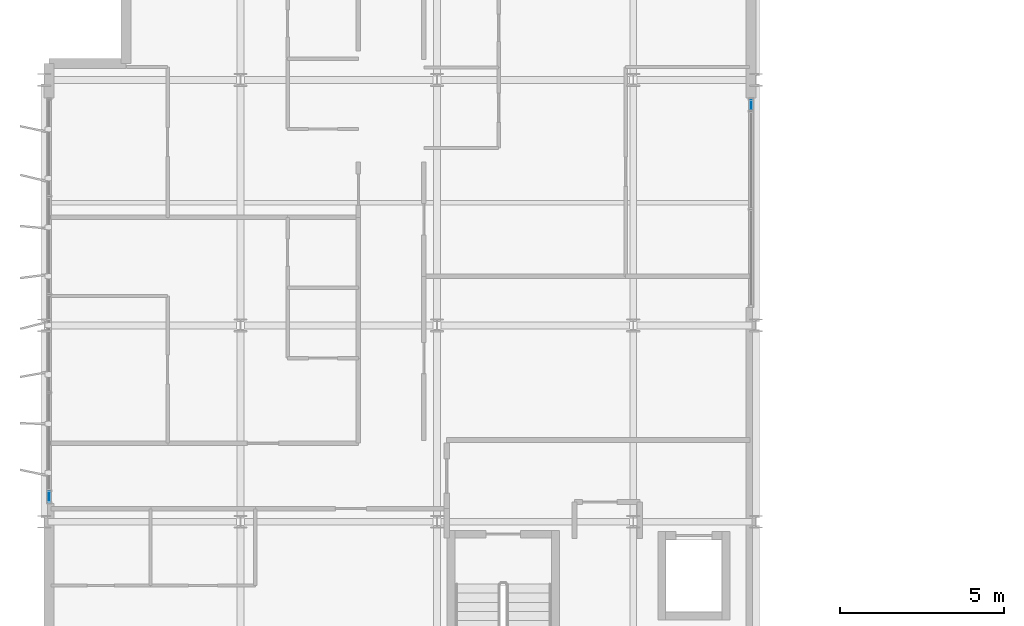
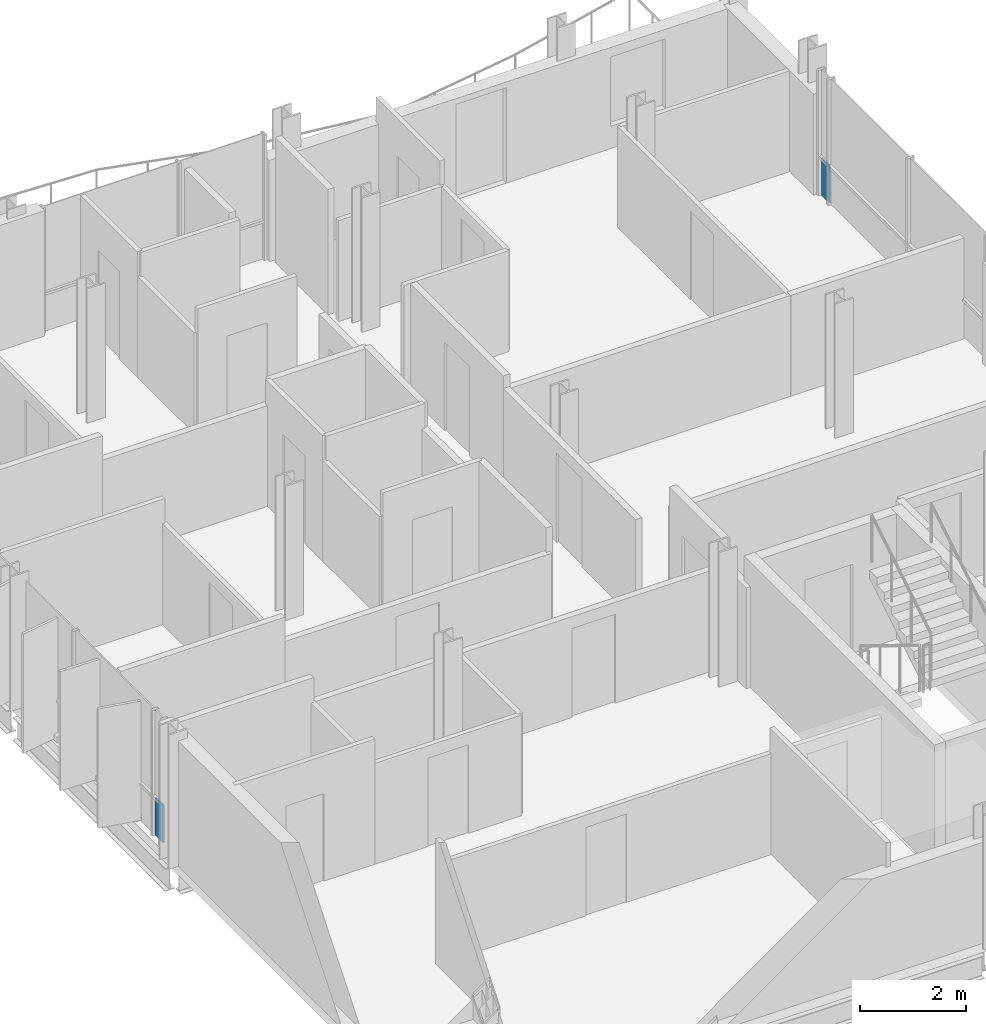
# One storey, part 19 of 29: 2 plates, 2 elements without a shape of their own.
"""IFC4 building model written with IfcOpenShell, lengths in metres."""

import ifcopenshell
import ifcopenshell.guid

model = None  # the IFC model being written
_history = None  # IfcOwnerHistory: only IFC2X3 demands one
_inside = {}  # id of a spatial element -> (the spatial element, [elements in it])
_under = {}  # id of a project, library or spatial element -> (it, [spatial elements below it])
_declared = {}  # id of a project -> (the project, [libraries it declares])
_typed = {}  # id of a type object -> (the type object, [elements of that type])
_made_of = {}  # id of a material, layer set ... -> (it, [elements and type objects made of it])


def new_model(schema):
    """Start an empty IFC model of exactly this schema.

    Asked for "IFC4X3", IfcOpenShell would pick the latest addendum, in which some entities
    have other attributes; the version numbers below select the first issue.
    IFC2X3 requires an IfcOwnerHistory on every rooted entity: one is made here for all.
    """
    global model, _history
    if schema == "IFC4X3":
        model = ifcopenshell.file(schema_version=(4, 3, 0, 0))
    else:
        model = ifcopenshell.file(schema=schema)
    _inside.clear()
    _under.clear()
    _declared.clear()
    _typed.clear()
    _made_of.clear()
    _history = None
    if model.schema == "IFC2X3":
        org = make("IfcOrganization", Name="unknown")
        user = make(
            "IfcPersonAndOrganization",
            ThePerson=make("IfcPerson", FamilyName="unknown"),
            TheOrganization=org,
        )
        app = make(
            "IfcApplication",
            ApplicationDeveloper=org,
            Version="unknown",
            ApplicationFullName="unknown",
            ApplicationIdentifier="unknown",
        )
        _history = make(
            "IfcOwnerHistory",
            OwningUser=user,
            OwningApplication=app,
            ChangeAction="ADDED",
            CreationDate=0,
        )
    return model


def make(cls, **values):
    """One entity of the class cls with the attributes given. An attribute that is None is left unset."""
    return model.create_entity(
        cls, **{name: value for name, value in values.items() if value is not None}
    )


def rooted(cls, **values):
    """An entity with a GlobalId (a new one), such as an element, a storey or a relation."""
    return make(cls, GlobalId=ifcopenshell.guid.new(), OwnerHistory=_history, **values)


def si_unit(unit_type, name, prefix=None):
    """IfcSIUnit, for example si_unit("LENGTHUNIT", "METRE", prefix="MILLI")."""
    return make("IfcSIUnit", UnitType=unit_type, Prefix=prefix, Name=name)


def assignment(units):
    """IfcUnitAssignment: the units of a project."""
    return None if units is None else make("IfcUnitAssignment", Units=units)


def point(xyz):
    """IfcCartesianPoint."""
    return None if xyz is None else make("IfcCartesianPoint", Coordinates=xyz)


def direction(xyz):
    """IfcDirection."""
    return None if xyz is None else make("IfcDirection", DirectionRatios=xyz)


def frame(location, z_axis=None, x_axis=None):
    """IfcAxis2Placement3D, a coordinate frame: its origin and axes. An axis left out is left unset."""
    return make(
        "IfcAxis2Placement3D",
        Location=point(location),
        Axis=direction(z_axis),
        RefDirection=direction(x_axis),
    )


def frame_2d(location, x_axis=None):
    """IfcAxis2Placement2D, a coordinate frame in the plane: its origin and x axis."""
    return make(
        "IfcAxis2Placement2D", Location=point(location), RefDirection=direction(x_axis)
    )


def origin():
    """The frame at (0, 0, 0) with its axes left unset."""
    return frame((0.0, 0.0, 0.0))


def origin_2d():
    """The frame at (0, 0) in the plane with its x axis left unset."""
    return frame_2d((0.0, 0.0))


def place(relative_to, where):
    """IfcLocalPlacement: puts the frame where relative to a parent placement (None: the world)."""
    return make(
        "IfcLocalPlacement", PlacementRelTo=relative_to, RelativePlacement=where
    )


def context(
    kind, dimensions, precision=None, world=None, true_north=None, identifier=None
):
    """IfcGeometricRepresentationContext, for example the 3D "Model" context."""
    return make(
        "IfcGeometricRepresentationContext",
        ContextIdentifier=identifier,
        ContextType=kind,
        CoordinateSpaceDimension=dimensions,
        Precision=precision,
        WorldCoordinateSystem=world,
        TrueNorth=true_north,
    )


def subcontext(parent, identifier, kind, view, scale=None):
    """IfcGeometricRepresentationSubContext, for example "Body" below "Model"."""
    return make(
        "IfcGeometricRepresentationSubContext",
        ContextIdentifier=identifier,
        ContextType=kind,
        ParentContext=parent,
        TargetScale=scale,
        TargetView=view,
    )


def project(units=None, contexts=None):
    """IfcProject with its units and contexts."""
    return rooted(
        "IfcProject",
        Name="project",
        RepresentationContexts=contexts,
        UnitsInContext=assignment(units),
    )


def spatial(cls, under=None, at=None, **own):
    """A site, building, storey or space (cls), placed at a placement, below another one or the project."""
    s = rooted(cls, ObjectPlacement=at, **own)
    if under is not None:
        _under.setdefault(under.id(), (under, []))[1].append(s)
    return s


def profile(cls, at=None, kind="AREA", **sizes):
    """A parametric profile (cls). Its sizes go by their IFC names, for example OverallWidth=200.0."""
    return make(cls, ProfileType=kind, Position=at, **sizes)


def rectangle(**sizes):
    """IfcRectangleProfileDef."""
    return profile("IfcRectangleProfileDef", **sizes)


def extrude(swept, where, along, depth):
    """IfcExtrudedAreaSolid: the profile swept, set in the frame where, extruded along a direction by depth."""
    return make(
        "IfcExtrudedAreaSolid",
        SweptArea=swept,
        Position=where,
        ExtrudedDirection=direction(along),
        Depth=depth,
    )


def shape(context_of_items, identifier, shape_type, items):
    """IfcShapeRepresentation: the items that make up one representation, for example the "Body"."""
    return make(
        "IfcShapeRepresentation",
        ContextOfItems=context_of_items,
        RepresentationIdentifier=identifier,
        RepresentationType=shape_type,
        Items=items,
    )


def material(Name=None, Category=None):
    """IfcMaterial."""
    return make("IfcMaterial", Name=Name, Category=Category)


def layer(
    of_material, thickness, ventilated=None, Name=None, Category=None, Priority=None
):
    """IfcMaterialLayer: one layer of a wall or slab, of a material (None: an air gap)."""
    return make(
        "IfcMaterialLayer",
        Material=of_material,
        LayerThickness=thickness,
        IsVentilated=ventilated,
        Name=Name,
        Category=Category,
        Priority=Priority,
    )


def layer_set(layers, Name=None):
    """IfcMaterialLayerSet."""
    return make("IfcMaterialLayerSet", MaterialLayers=layers, LayerSetName=Name)


def made_of(thing, what):
    """Note that an element or type object is made of a material, layer set ...; save() writes the relation."""
    if what is not None:
        _made_of.setdefault(what.id(), (what, []))[1].append(thing)
    return thing


def type_object(cls, material=None, **own):
    """A type object (cls), such as IfcWallType, which elements share."""
    return made_of(rooted(cls, **own), material)


def element(
    cls,
    number,
    at=None,
    inside=None,
    cuts=None,
    type_object=None,
    material=None,
    context=None,
    identifier="Body",
    shape_type=None,
    held_by="IfcProductDefinitionShape",
    body=None,
    shapes=None,
    **own,
):
    """One element of the class cls, such as IfcWall. Its Tag is "e" and its number.

    at: its placement. inside: the storey or other place that contains it. cuts: it is an
    opening in that element (IfcRelVoidsElement). A single representation is given by context,
    identifier, shape_type and body (its items); several are given by shapes. held_by: the class
    of the entity that holds the representations. save() writes the other relations.
    """
    e = rooted(cls, Tag="e%d" % number, ObjectPlacement=at, **own)
    if body is not None:
        shapes = [shape(context, identifier, shape_type, body)]
    if shapes is not None:
        e.Representation = make(held_by, Representations=shapes)
    if inside is not None:
        _inside.setdefault(inside.id(), (inside, []))[1].append(e)
    if cuts is not None:
        rooted(
            "IfcRelVoidsElement", RelatingBuildingElement=cuts, RelatedOpeningElement=e
        )
    if type_object is not None:
        _typed.setdefault(type_object.id(), (type_object, []))[1].append(e)
    return made_of(e, material)


def aggregate(whole, parts):
    """IfcRelAggregates: a whole, such as a stair, and the parts it consists of."""
    return rooted("IfcRelAggregates", RelatingObject=whole, RelatedObjects=parts)


def save(model, path):
    """Write the relations noted so far, then the file.

    IfcRelAggregates (storeys below a building ...), IfcRelContainedInSpatialStructure (elements
    in a storey), IfcRelDefinesByType, IfcRelAssociatesMaterial and IfcRelDeclares: one each for
    every whole, place, type object, material and project.
    """
    for whole, parts in _under.values():
        aggregate(whole, parts)
    for where, things in _inside.values():
        rooted(
            "IfcRelContainedInSpatialStructure",
            RelatedElements=things,
            RelatingStructure=where,
        )
    for kind, things in _typed.values():
        rooted("IfcRelDefinesByType", RelatedObjects=things, RelatingType=kind)
    for what, things in _made_of.values():
        rooted("IfcRelAssociatesMaterial", RelatedObjects=things, RelatingMaterial=what)
    for by, libraries in _declared.values():
        rooted("IfcRelDeclares", RelatingContext=by, RelatedDefinitions=libraries)
    model.write(path)


model = new_model("IFC4")

# Units and contexts
model_context = context("Model", 3, precision=1e-05, world=origin(), true_north=direction((0.0, 1.0)))
body_context = subcontext(model_context, "Body", "Model", "MODEL_VIEW")
ifc_project = project(units=[si_unit("LENGTHUNIT", "METRE"), si_unit("AREAUNIT", "SQUARE_METRE"), si_unit("VOLUMEUNIT", "CUBIC_METRE"), si_unit("PLANEANGLEUNIT", "RADIAN"), si_unit("MASSUNIT", "GRAM", prefix="KILO")], contexts=[model_context])

# Site, building, storey
site_placement = place(None, origin())
site = spatial("IfcSite", under=ifc_project, at=site_placement, CompositionType="ELEMENT")
building_placement = place(site_placement, origin())
building = spatial("IfcBuilding", under=site, at=building_placement, Name="Brevholm Reach", CompositionType="ELEMENT")
storey_placement = place(building_placement, frame((0.0, 0.0, 198.699951171875)))
storey = spatial("IfcBuildingStorey", under=building, at=storey_placement, Name="L60", CompositionType="ELEMENT", Elevation=198.699951171875)

# Curtain wall, plate
ifc_material_1 = material(Name="Dark Anodised Aluminium 6063-T6 and Solar-Control Glass", Category="aluminium")
ifc_layer_1 = layer(ifc_material_1, 0.14990234375)
ifc_layer_set_1 = layer_set([ifc_layer_1], Name="Dark Anodised Aluminium 6063-T6 and Solar-Control Glass")
curtain_wall_type_1 = type_object("IfcCurtainWallType", Name="CW-01", PredefinedType="NOTDEFINED", material=ifc_layer_set_1)
curtain_wall_1_placement = place(storey_placement, origin())
curtain_wall_1 = element("IfcCurtainWall", 1, at=curtain_wall_1_placement, inside=storey, type_object=curtain_wall_type_1, Name="L60 Curtain Wall CW-01", PredefinedType="NOTDEFINED")
ifc_material_2 = material(Name="Dark Solar-Control Double-Glazed IGU Glass", Category="glass")
ifc_layer_2 = layer(ifc_material_2, 0.028076171875)
ifc_layer_set_2 = layer_set([ifc_layer_2], Name="Dark Solar-Control Double-Glazed IGU Glass")
plate_type = type_object("IfcPlateType", Name="CWP-GLZ-28", PredefinedType="CURTAIN_PANEL", material=ifc_layer_set_2)
plate_1_placement = place(storey_placement, frame((0.14990234375, 10.766357421875, 0.0), z_axis=(0.0, 0.0, 1.0), x_axis=(0.0, -1.0, 0.0)))
plate_1 = element("IfcPlate", 2, at=plate_1_placement, type_object=plate_type, Name="CP-01 Glazing Panel 5.1", PredefinedType="CURTAIN_PANEL", context=body_context, shape_type="SweptSolid", body=[
    extrude(rectangle(XDim=0.302490234375, YDim=0.028076171875, at=origin_2d()), origin(), (0.0, 0.0, 1.0), 0.867431640625),
])
aggregate(curtain_wall_1, [plate_1])

ifc_material_3 = material(Name="Dark Anodised Aluminium 6063-T6 and Solar-Control Glass", Category="aluminium")
ifc_layer_3 = layer(ifc_material_3, 0.1650390625)
ifc_layer_set_3 = layer_set([ifc_layer_3], Name="Dark Anodised Aluminium 6063-T6 and Solar-Control Glass")
curtain_wall_type_2 = type_object("IfcCurtainWallType", Name="CW-04", PredefinedType="NOTDEFINED", material=ifc_layer_set_3)
curtain_wall_2_placement = place(storey_placement, origin())
curtain_wall_2 = element("IfcCurtainWall", 3, at=curtain_wall_2_placement, inside=storey, type_object=curtain_wall_type_2, Name="L60 Curtain Wall CW-04", PredefinedType="NOTDEFINED")
plate_2_placement = place(storey_placement, frame((21.60009765625, 22.732421875, 0.0), z_axis=(0.0, 0.0, 1.0), x_axis=(0.0, 1.0, 0.0)))
plate_2 = element("IfcPlate", 4, at=plate_2_placement, type_object=plate_type, Name="CP-01 Glazing Panel 3.1", PredefinedType="CURTAIN_PANEL", context=body_context, shape_type="SweptSolid", body=[
    extrude(rectangle(XDim=0.294921875, YDim=0.028076171875, at=origin_2d()), origin(), (0.0, 0.0, 1.0), 0.864990234375),
])
aggregate(curtain_wall_2, [plate_2])

save(model, "model.ifc")
